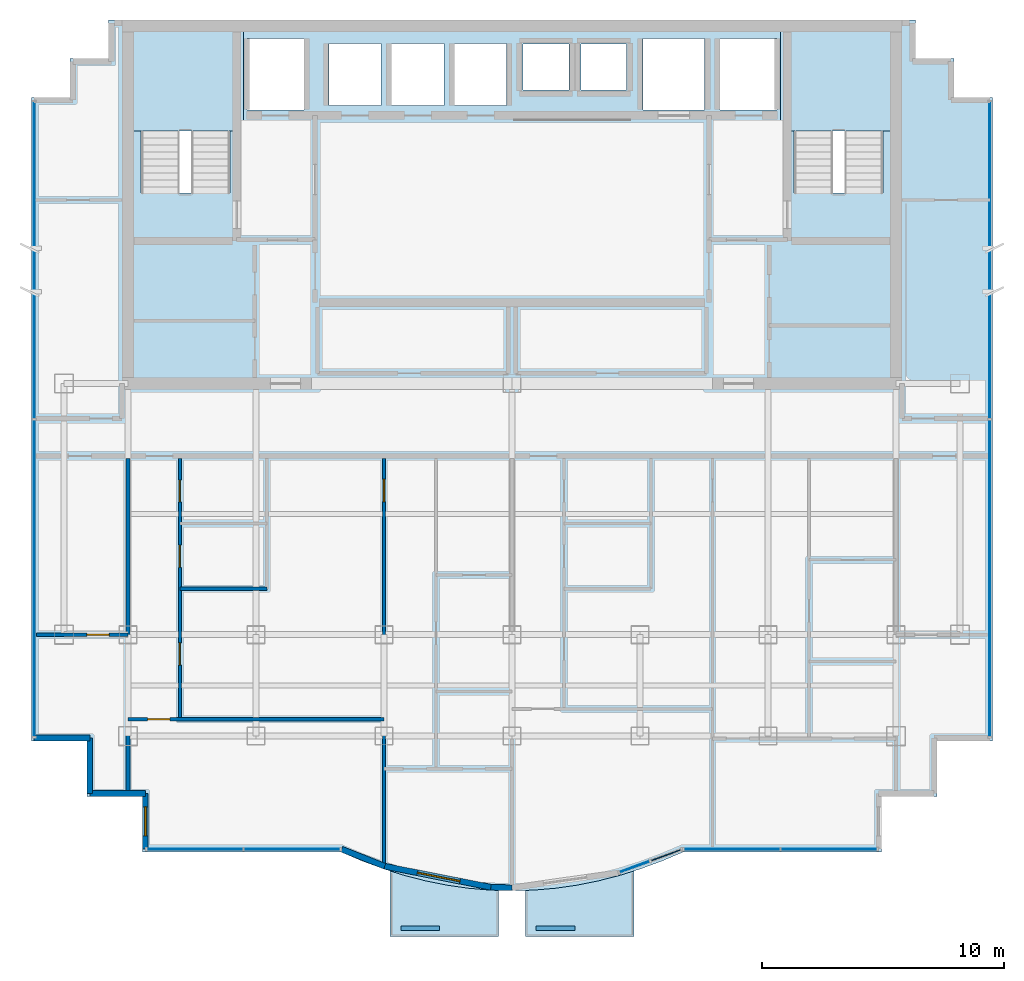
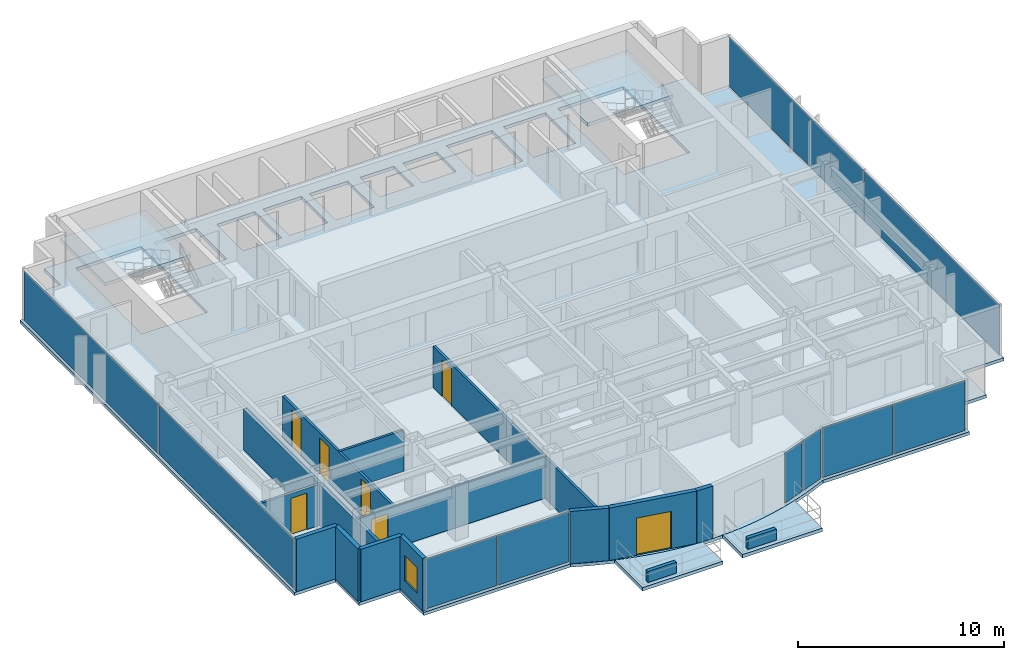
# One storey, part 6 of 12: 15 walls, 10 plates, 7 doors, 5 slabs, 1 window, 8 openings, 7 elements without a shape of their own.
"""IFC4 building model written with IfcOpenShell, lengths in metres."""

from ifc_helpers import new_model, si_unit, direction, frame, frame_2d, origin, origin_2d, place, context, subcontext, project, spatial, polyline, rectangle, outline, extrude, source, transform, mapped, material, layer, layer_set, type_object, element, fill, aggregate, save


model = new_model("IFC4")

# Units and contexts
model_context = context("Model", 3, precision=1e-05, world=origin(), true_north=direction((0.0, 1.0)))
body_context = subcontext(model_context, "Body", "Model", "MODEL_VIEW")
ifc_project = project(units=[si_unit("LENGTHUNIT", "METRE"), si_unit("AREAUNIT", "SQUARE_METRE"), si_unit("VOLUMEUNIT", "CUBIC_METRE"), si_unit("PLANEANGLEUNIT", "RADIAN"), si_unit("MASSUNIT", "GRAM", prefix="KILO")], contexts=[model_context])

# Site, building, storey
site_placement = place(None, origin())
site = spatial("IfcSite", under=ifc_project, at=site_placement, CompositionType="ELEMENT")
building_placement = place(site_placement, origin())
building = spatial("IfcBuilding", under=site, at=building_placement, Name="Qianlan Lanfeng Residences", CompositionType="ELEMENT")
storey_placement = place(building_placement, frame((0.0, 0.0, 219.800048828125)))
storey = spatial("IfcBuildingStorey", under=building, at=storey_placement, Name="L60", CompositionType="ELEMENT", Elevation=219.800048828125)

# Slabs
ifc_material_1 = material(Name="Concrete C42", Category="concrete")
ifc_layer_1 = layer(ifc_material_1, 0.199951171875)
ifc_layer_set_1 = layer_set([ifc_layer_1], Name="Concrete C42")
slab_type_1 = type_object("IfcSlabType", Name="S-BAL-200", PredefinedType="FLOOR", material=ifc_layer_set_1)
slab_1_placement = place(storey_placement, frame((0.0, 0.0, -0.199951171875)))
element("IfcSlab", 1, at=slab_1_placement, inside=storey, type_object=slab_type_1, Name="L60 Planted Tree Balcony Slab SB-W", PredefinedType="FLOOR", context=body_context, shape_type="SweptSolid", body=[
    extrude(outline(polyline([(25.949951171875, 4.216064453125), (25.614990234375, 4.22509765625), (24.72998046875, 4.300048828125), (23.844970703125, 4.425048828125), (22.9599609375, 4.60009765625), (22.074951171875, 4.824951171875), (21.449951171875, 5.01904296875), (21.449951171875, 2.300048828125), (25.949951171875, 2.300048828125), (25.949951171875, 4.216064453125)])), origin(), (0.0, 0.0, 1.0), 0.199951171875),
])
slab_2_placement = place(storey_placement, frame((0.0, 0.0, -0.199951171875)))
element("IfcSlab", 2, at=slab_2_placement, inside=storey, type_object=slab_type_1, Name="L60 Planted Tree Balcony Slab SB-E", PredefinedType="FLOOR", context=body_context, shape_type="SweptSolid", body=[
    extrude(outline(polyline([(31.550048828125, 5.01904296875), (30.925048828125, 4.824951171875), (30.0400390625, 4.60009765625), (29.155029296875, 4.425048828125), (28.27001953125, 4.300048828125), (27.385009765625, 4.22509765625), (27.050048828125, 4.216064453125), (27.050048828125, 2.300048828125), (31.550048828125, 2.300048828125), (31.550048828125, 5.01904296875)])), origin(), (0.0, 0.0, 1.0), 0.199951171875),
])
ifc_layer_2 = layer(ifc_material_1, 0.18994140625)
ifc_layer_set_2 = layer_set([ifc_layer_2], Name="Concrete C42")
slab_type_2 = type_object("IfcSlabType", Name="S-FL-190", PredefinedType="FLOOR", material=ifc_layer_set_2)
slab_3_placement = place(storey_placement, frame((0.0, 0.0, -0.18994140625)))
element("IfcSlab", 3, at=slab_3_placement, inside=storey, type_object=slab_type_2, Name="L60 Structural Floor Slab", PredefinedType="FLOOR", context=body_context, shape_type="SweptSolid", body=[
    extrude(outline(polyline([(6.60009765625, 10.39990234375), (8.89990234375, 10.39990234375), (8.89990234375, 8.10009765625), (11.199951171875, 8.10009765625), (11.199951171875, 5.800048828125), (19.419921875, 5.800048828125), (20.304931640625, 5.425048828125), (21.18994140625, 5.10009765625), (22.074951171875, 4.824951171875), (22.9599609375, 4.60009765625), (23.844970703125, 4.425048828125), (24.72998046875, 4.300048828125), (25.614990234375, 4.22509765625), (26.5, 4.199951171875), (27.385009765625, 4.22509765625), (28.27001953125, 4.300048828125), (29.155029296875, 4.425048828125), (30.0400390625, 4.60009765625), (30.925048828125, 4.824951171875), (31.81005859375, 5.10009765625), (32.695068359375, 5.425048828125), (33.580078125, 5.800048828125), (41.800048828125, 5.800048828125), (41.800048828125, 8.10009765625), (44.10009765625, 8.10009765625), (44.10009765625, 10.39990234375), (46.39990234375, 10.39990234375), (46.39990234375, 37.050048828125), (44.800048828125, 37.050048828125), (44.800048828125, 38.64990234375), (43.199951171875, 38.64990234375), (43.199951171875, 40.25), (9.800048828125, 40.25), (9.800048828125, 38.64990234375), (8.199951171875, 38.64990234375), (8.199951171875, 37.050048828125), (6.60009765625, 37.050048828125), (6.60009765625, 10.39990234375)]), holes=[polyline([(11.139892578125, 33.080078125), (11.139892578125, 39.5), (14.820068359375, 39.5), (14.820068359375, 33.080078125), (11.139892578125, 33.080078125)]), polyline([(38.179931640625, 33.080078125), (38.179931640625, 39.5), (41.860107421875, 39.5), (41.860107421875, 33.080078125), (38.179931640625, 33.080078125)]), polyline([(15.52001953125, 36.52001953125), (15.52001953125, 39.47998046875), (17.8798828125, 39.47998046875), (17.8798828125, 36.52001953125), (15.52001953125, 36.52001953125)]), polyline([(35.1201171875, 36.52001953125), (35.1201171875, 39.47998046875), (37.47998046875, 39.47998046875), (37.47998046875, 36.52001953125), (35.1201171875, 36.52001953125)]), polyline([(31.919921875, 36.52001953125), (31.919921875, 39.47998046875), (34.47998046875, 39.47998046875), (34.47998046875, 36.52001953125), (31.919921875, 36.52001953125)]), polyline([(18.919921875, 36.719970703125), (18.919921875, 39.280029296875), (21.080078125, 39.280029296875), (21.080078125, 36.719970703125), (18.919921875, 36.719970703125)]), polyline([(21.52001953125, 36.719970703125), (21.52001953125, 39.280029296875), (23.679931640625, 39.280029296875), (23.679931640625, 36.719970703125), (21.52001953125, 36.719970703125)]), polyline([(24.1201171875, 36.719970703125), (24.1201171875, 39.280029296875), (26.280029296875, 39.280029296875), (26.280029296875, 36.719970703125), (24.1201171875, 36.719970703125)]), polyline([(26.949951171875, 37.35009765625), (26.949951171875, 39.25), (28.85009765625, 39.25), (28.85009765625, 37.35009765625), (26.949951171875, 37.35009765625)]), polyline([(29.35009765625, 37.35009765625), (29.35009765625, 39.25), (31.25, 39.25), (31.25, 37.35009765625), (29.35009765625, 37.35009765625)])]), origin(), (0.0, 0.0, 1.0), 0.18994140625),
])

# Stair, slab
stair_type = type_object("IfcStairType", Name="STR-MAIN", PredefinedType="HALF_TURN_STAIR", material=ifc_material_1)
stair_1_placement = place(storey_placement, origin())
stair_1 = element("IfcStair", 4, at=stair_1_placement, inside=storey, type_object=stair_type, Name="L60 Exit Stair ST-1", PredefinedType="HALF_TURN_STAIR")
ifc_layer_3 = layer(ifc_material_1, 0.179931640625)
ifc_layer_set_3 = layer_set([ifc_layer_3], Name="Concrete C42")
slab_type_3 = type_object("IfcSlabType", Name="S-LND-180", PredefinedType="LANDING", material=ifc_layer_set_3)
slab_4_placement = place(storey_placement, frame((0.0, 0.0, 1.449951171875)))
slab_4 = element("IfcSlab", 5, at=slab_4_placement, type_object=slab_type_3, Name="ST-1 landing 1", PredefinedType="LANDING", context=body_context, shape_type="SweptSolid", body=[
    extrude(outline(polyline([(10.580078125, 35.659912109375), (15.3798828125, 35.659912109375), (15.3798828125, 40.050048828125), (10.580078125, 40.050048828125), (10.580078125, 35.659912109375)])), origin(), (0.0, 0.0, 1.0), 0.199951171875),
])
aggregate(stair_1, [slab_4])

stair_2_placement = place(storey_placement, origin())
stair_2 = element("IfcStair", 6, at=stair_2_placement, inside=storey, type_object=stair_type, Name="L60 Exit Stair ST-2", PredefinedType="HALF_TURN_STAIR")
slab_5_placement = place(storey_placement, frame((0.0, 0.0, 1.449951171875)))
slab_5 = element("IfcSlab", 7, at=slab_5_placement, type_object=slab_type_3, Name="ST-2 landing 1", PredefinedType="LANDING", context=body_context, shape_type="SweptSolid", body=[
    extrude(outline(polyline([(37.6201171875, 35.659912109375), (42.419921875, 35.659912109375), (42.419921875, 40.050048828125), (37.6201171875, 40.050048828125), (37.6201171875, 35.659912109375)])), origin(), (0.0, 0.0, 1.0), 0.199951171875),
])
aggregate(stair_2, [slab_5])

# Curtain wall, plates
ifc_material_2 = material(Name="Anodised Bronze Aluminium 6063-T6", Category="aluminium")
ifc_layer_4 = layer(ifc_material_2, 0.219970703125)
ifc_layer_set_4 = layer_set([ifc_layer_4], Name="Anodised Bronze Aluminium 6063-T6")
curtain_wall_type = type_object("IfcCurtainWallType", Name="CW-05", PredefinedType="NOTDEFINED", material=ifc_layer_set_4)
curtain_wall_1_placement = place(storey_placement, origin())
curtain_wall_1 = element("IfcCurtainWall", 8, at=curtain_wall_1_placement, inside=storey, type_object=curtain_wall_type, Name="L60 Unitised Curtain Wall CWR-L60-01 (CW-05)", PredefinedType="NOTDEFINED")
ifc_material_3 = material(Name="Clear Low-E Insulated Glass", Category="glass")
ifc_layer_5 = layer(ifc_material_3, 0.035888671875)
ifc_layer_set_5 = layer_set([ifc_layer_5], Name="Clear Low-E Insulated Glass")
plate_type_1 = type_object("IfcPlateType", Name="PNL-GLZ-CLR", PredefinedType="CURTAIN_PANEL", material=ifc_layer_set_5)
shared_shape_1 = source(origin(), body_context, "Body", "SweptSolid", [
    extrude(rectangle(XDim=3.951416015625, YDim=0.035888671875, at=origin_2d()), origin(), (0.0, 0.0, 1.0), 2.9619140625),
])
plate_1_placement = place(storey_placement, frame((13.36962890625, 5.919921875, 0.073974609375), z_axis=(0.0, 0.0, 1.0), x_axis=(1.0, 0.0, 0.0)))
plate_1 = element("IfcPlate", 9, at=plate_1_placement, type_object=plate_type_1, Name="CWR-L60-01 Curtain Panel 1", PredefinedType="CURTAIN_PANEL", context=body_context, shape_type="MappedRepresentation", body=[
    mapped(shared_shape_1, transform((0.0, 0.0, 0.0), scale=1.0)),
])
plate_2_placement = place(storey_placement, frame((17.394287109375, 5.919921875, 0.073974609375), z_axis=(0.0, 0.0, 1.0), x_axis=(1.0, 0.0, 0.0)))
plate_2 = element("IfcPlate", 10, at=plate_2_placement, type_object=plate_type_1, Name="CWR-L60-01 Curtain Panel 2", PredefinedType="CURTAIN_PANEL", context=body_context, shape_type="MappedRepresentation", body=[
    mapped(shared_shape_1, transform((0.0, 0.0, 0.0), scale=1.0)),
])
aggregate(curtain_wall_1, [plate_1, plate_2])

curtain_wall_2_placement = place(storey_placement, origin())
curtain_wall_2 = element("IfcCurtainWall", 11, at=curtain_wall_2_placement, inside=storey, type_object=curtain_wall_type, Name="L60 Unitised Curtain Wall CWR-L60-03 (CW-05)", PredefinedType="NOTDEFINED")
plate_3_placement = place(storey_placement, frame((35.605712890625, 5.919921875, 0.073974609375), z_axis=(0.0, 0.0, 1.0), x_axis=(1.0, 0.0, 0.0)))
plate_3 = element("IfcPlate", 12, at=plate_3_placement, type_object=plate_type_1, Name="CWR-L60-03 Curtain Panel 1", PredefinedType="CURTAIN_PANEL", context=body_context, shape_type="MappedRepresentation", body=[
    mapped(shared_shape_1, transform((0.0, 0.0, 0.0), scale=1.0)),
])
plate_4_placement = place(storey_placement, frame((39.630126953125, 5.919921875, 0.073974609375), z_axis=(0.0, 0.0, 1.0), x_axis=(1.0, 0.0, 0.0)))
plate_4 = element("IfcPlate", 13, at=plate_4_placement, type_object=plate_type_1, Name="CWR-L60-03 Curtain Panel 2", PredefinedType="CURTAIN_PANEL", context=body_context, shape_type="MappedRepresentation", body=[
    mapped(shared_shape_1, transform((0.0, 0.0, 0.0), scale=1.0)),
])
aggregate(curtain_wall_2, [plate_3, plate_4])

curtain_wall_3_placement = place(storey_placement, origin())
curtain_wall_3 = element("IfcCurtainWall", 14, at=curtain_wall_3_placement, inside=storey, type_object=curtain_wall_type, Name="L60 Unitised Curtain Wall CWR-L60-02 (CW-05)", PredefinedType="NOTDEFINED")
shared_shape_2 = source(origin(), body_context, "Body", "SweptSolid", [
    extrude(rectangle(XDim=1.30859375, YDim=0.035888671875, at=origin_2d()), origin(), (0.0, 0.0, 1.0), 2.9619140625),
])
plate_5_placement = place(storey_placement, frame((31.57568359375, 5.192138671875, 0.073974609375), z_axis=(0.0, 0.0, 1.0), x_axis=(0.938625538563, 0.344937818101, 0.0)))
plate_5 = element("IfcPlate", 15, at=plate_5_placement, type_object=plate_type_1, Name="CWR-L60-02 Curtain Panel 1", PredefinedType="CURTAIN_PANEL", context=body_context, shape_type="MappedRepresentation", body=[
    mapped(shared_shape_2, transform((0.0, 0.0, 0.0), scale=1.0)),
])
ifc_material_4 = material(Name="Perforated Champagne Gold Aluminium Panel", Category="aluminium")
ifc_layer_6 = layer(ifc_material_4, 0.0400390625)
ifc_layer_set_6 = layer_set([ifc_layer_6], Name="Perforated Champagne Gold Aluminium Panel")
plate_type_2 = type_object("IfcPlateType", Name="PNL-PRF-GLD", PredefinedType="CURTAIN_PANEL", material=ifc_layer_set_6)
shared_shape_3 = source(origin(), body_context, "Body", "SweptSolid", [
    extrude(rectangle(XDim=1.30859375, YDim=0.0400390625, at=origin_2d()), origin(), (0.0, 0.0, 1.0), 2.9619140625),
])
plate_6_placement = place(storey_placement, frame((32.872314453125, 5.668701171875, 0.073974609375), z_axis=(0.0, 0.0, 1.0), x_axis=(0.938625538563, 0.344937818101, 0.0)))
plate_6 = element("IfcPlate", 16, at=plate_6_placement, type_object=plate_type_2, Name="CWR-L60-02 Curtain Panel 2", PredefinedType="CURTAIN_PANEL", context=body_context, shape_type="MappedRepresentation", body=[
    mapped(shared_shape_3, transform((0.0, 0.0, 0.0), scale=1.0)),
])
aggregate(curtain_wall_3, [plate_5, plate_6])

# Curtain wall, plate
curtain_wall_4_placement = place(storey_placement, origin())
curtain_wall_4 = element("IfcCurtainWall", 17, at=curtain_wall_4_placement, inside=storey, type_object=curtain_wall_type, Name="L60 Unitised Curtain Wall CWR-L60-04 (CW-05)", PredefinedType="NOTDEFINED")
shared_shape_4 = source(origin(), body_context, "Body", "SweptSolid", [
    extrude(rectangle(XDim=13.094482421875, YDim=0.035888671875, at=origin_2d()), origin(), (0.0, 0.0, 1.0), 2.9619140625),
])
plate_7_placement = place(storey_placement, frame((46.280029296875, 17.14111328125, 0.073974609375), z_axis=(0.0, 0.0, 1.0), x_axis=(0.0, 1.0, 0.0)))
plate_7 = element("IfcPlate", 18, at=plate_7_placement, type_object=plate_type_1, Name="CWR-L60-04 Curtain Panel 1", PredefinedType="CURTAIN_PANEL", context=body_context, shape_type="MappedRepresentation", body=[
    mapped(shared_shape_4, transform((0.0, 0.0, 0.0), scale=1.0)),
])

# Curtain wall, plates
curtain_wall_5_placement = place(storey_placement, origin())
curtain_wall_5 = element("IfcCurtainWall", 19, at=curtain_wall_5_placement, inside=storey, type_object=curtain_wall_type, Name="L60 Unitised Curtain Wall CWR-L60-05 (CW-05)", PredefinedType="NOTDEFINED")
plate_8_placement = place(storey_placement, frame((6.719970703125, 30.30859375, 0.073974609375), z_axis=(0.0, 0.0, 1.0), x_axis=(0.0, -1.0, 0.0)))
plate_8 = element("IfcPlate", 20, at=plate_8_placement, type_object=plate_type_1, Name="CWR-L60-05 Curtain Panel 1", PredefinedType="CURTAIN_PANEL", context=body_context, shape_type="MappedRepresentation", body=[
    mapped(shared_shape_4, transform((0.0, 0.0, 0.0), scale=1.0)),
])
plate_9_placement = place(storey_placement, frame((6.719970703125, 17.14111328125, 0.073974609375), z_axis=(0.0, 0.0, 1.0), x_axis=(0.0, -1.0, 0.0)))
plate_9 = element("IfcPlate", 21, at=plate_9_placement, type_object=plate_type_1, Name="CWR-L60-05 Curtain Panel 2", PredefinedType="CURTAIN_PANEL", context=body_context, shape_type="MappedRepresentation", body=[
    mapped(shared_shape_4, transform((0.0, 0.0, 0.0), scale=1.0)),
])
aggregate(curtain_wall_5, [plate_8, plate_9])

# Plate
shared_shape_5 = source(origin(), body_context, "Body", "SweptSolid", [
    extrude(rectangle(XDim=13.094482421875, YDim=0.0400390625, at=origin_2d()), origin(), (0.0, 0.0, 1.0), 2.9619140625),
])
plate_10_placement = place(storey_placement, frame((46.280029296875, 30.30859375, 0.073974609375), z_axis=(0.0, 0.0, 1.0), x_axis=(0.0, 1.0, 0.0)))
plate_10 = element("IfcPlate", 22, at=plate_10_placement, type_object=plate_type_2, Name="CWR-L60-04 Curtain Panel 2", PredefinedType="CURTAIN_PANEL", context=body_context, shape_type="MappedRepresentation", body=[
    mapped(shared_shape_5, transform((0.0, 0.0, 0.0), scale=1.0)),
])

aggregate(curtain_wall_4, [plate_7, plate_10])

# Walls
ifc_layer_7 = layer(ifc_material_1, 0.239990234375)
ifc_layer_set_7 = layer_set([ifc_layer_7], Name="Concrete C42")
wall_type_1 = type_object("IfcWallType", Name="EW-240", PredefinedType="SOLIDWALL", material=ifc_layer_set_7)
for number, where, z_axis, x_axis, name in (
    (23, (6.719970703125, 10.52001953125, 0.0), (0.0, 0.0, 1.0), (1.0, 0.0, 0.0), "L60 Exterior Facade Spandrel Wall 1"),
    (24, (9.02001953125, 10.52001953125, 0.0), (0.0, 0.0, 1.0), (0.0, -1.0, 0.0), "L60 Exterior Facade Spandrel Wall 2"),
    (25, (9.02001953125, 8.219970703125, 0.0), (0.0, 0.0, 1.0), (1.0, 0.0, 0.0), "L60 Exterior Facade Spandrel Wall 3"),
):
    element("IfcWall", number, at=place(storey_placement, frame(where, z_axis=z_axis, x_axis=x_axis)), inside=storey, type_object=wall_type_1, Name=name, PredefinedType="SOLIDWALL", context=body_context, shape_type="SweptSolid", body=[
        extrude(rectangle(XDim=2.300048828125, YDim=0.239990234375, at=frame_2d((1.14990234375, 0.0))), origin(), (0.0, 0.0, 1.0), 3.10986328125),
    ])

# Wall, opening, window
wall_1_placement = place(storey_placement, frame((11.320068359375, 8.219970703125, 0.0), z_axis=(0.0, 0.0, 1.0), x_axis=(0.0, -1.0, 0.0)))
wall_1 = element("IfcWall", 26, at=wall_1_placement, inside=storey, type_object=wall_type_1, Name="L60 Exterior Facade Spandrel Wall 4", PredefinedType="SOLIDWALL", context=body_context, shape_type="SweptSolid", body=[
    extrude(rectangle(XDim=2.300048828125, YDim=0.239990234375, at=frame_2d((1.14990234375, 0.0))), origin(), (0.0, 0.0, 1.0), 3.10986328125),
])
opening_1_placement = place(wall_1_placement, frame((0.550048828125, 0.0, 0.75)))
opening_1 = element("IfcOpeningElement", 27, at=opening_1_placement, cuts=wall_1, Name="Opening W-03", PredefinedType="OPENING", context=body_context, shape_type="SweptSolid", body=[
    extrude(rectangle(XDim=1.199951171875, YDim=1.5, at=frame_2d((0.60009765625, 0.75))), frame((0.0, 0.1298828125, 0.0), z_axis=(0.0, -1.0, 0.0), x_axis=(1.0, 0.0, 0.0)), (0.0, 0.0, 1.0), 0.260009765625),
])
ifc_material_5 = material(Name="Anodised Bronze Aluminium Framed Double Glazing", Category="aluminium")
window_type = type_object("IfcWindowType", Name="W-03", PartitioningType="SINGLE_PANEL", PredefinedType="WINDOW", material=ifc_material_5)
window_placement = place(opening_1_placement, origin())
window = element("IfcWindow", 28, at=window_placement, inside=storey, type_object=window_type, Name="L60 Facade Punched Window W-03", OverallHeight=1.5, OverallWidth=1.199951171875, PartitioningType="SINGLE_PANEL", PredefinedType="WINDOW", context=body_context, shape_type="SweptSolid", body=[
    extrude(rectangle(XDim=1.199951171875, YDim=1.5, at=frame_2d((0.60009765625, 0.75))), frame((0.0, 0.030029296875, 0.0), z_axis=(0.0, -1.0, 0.0), x_axis=(1.0, 0.0, 0.0)), (0.0, 0.0, 1.0), 0.06005859375),
])
fill(opening_1, window)

# Wall
wall_2_placement = place(storey_placement, frame((19.444091796875, 5.919921875, 0.0), z_axis=(0.0, 0.0, 1.0), x_axis=(0.92993442177, -0.367725401906, 0.0)))
element("IfcWall", 29, at=wall_2_placement, inside=storey, type_object=wall_type_1, Name="L60 Exterior Facade Spandrel Wall 5", PredefinedType="SOLIDWALL", context=body_context, shape_type="SweptSolid", body=[
    extrude(rectangle(XDim=1.91943359375, YDim=0.239990234375, at=frame_2d((0.959716796875, 0.0))), origin(), (0.0, 0.0, 1.0), 3.10986328125),
])

# Wall, opening, door
wall_3_placement = place(storey_placement, frame((21.22900390625, 5.214111328125, 0.0), z_axis=(0.0, 0.0, 1.0), x_axis=(0.980985349685, -0.194081796425, 0.0)))
wall_3 = element("IfcWall", 30, at=wall_3_placement, inside=storey, type_object=wall_type_1, Name="L60 Terrace/Balcony Access Exterior Wall 6", PredefinedType="SOLIDWALL", context=body_context, shape_type="SweptSolid", body=[
    extrude(rectangle(XDim=4.478271484375, YDim=0.239990234375, at=frame_2d((2.2392578125, 0.0))), origin(), (0.0, 0.0, 1.0), 3.10986328125),
])
opening_2_placement = place(wall_3_placement, frame((1.381103515625, 0.0, 0.0)))
opening_2 = element("IfcOpeningElement", 31, at=opening_2_placement, cuts=wall_3, Name="Opening L60-D-SB-W", PredefinedType="OPENING", context=body_context, shape_type="SweptSolid", body=[
    extrude(rectangle(XDim=1.800048828125, YDim=2.199951171875, at=frame_2d((0.89990234375, 1.10009765625))), frame((0.0, 0.1298828125, 0.0), z_axis=(0.0, -1.0, 0.0), x_axis=(1.0, 0.0, 0.0)), (0.0, 0.0, 1.0), 0.260009765625),
])
ifc_material_6 = material(Name="Anodised Bronze Aluminium Framed Glass", Category="aluminium")
door_type_1 = type_object("IfcDoorType", Name="DT-BAL1", OperationType="NOTDEFINED", PredefinedType="DOOR", material=ifc_material_6)
door_1_placement = place(opening_2_placement, frame((1.800048828125, 0.0, 0.0), z_axis=(0.0, 0.0, 1.0), x_axis=(-1.0, 0.0, 0.0)))
door_1 = element("IfcDoor", 32, at=door_1_placement, inside=storey, type_object=door_type_1, Name="L60 Exterior Access Door SB-W", OperationType="DOUBLE_DOOR_SLIDING", OverallHeight=2.199951171875, OverallWidth=1.800048828125, PredefinedType="DOOR", context=body_context, shape_type="SweptSolid", body=[
    extrude(rectangle(XDim=1.800048828125, YDim=2.199951171875, at=frame_2d((0.89990234375, 1.10009765625))), frame((0.0, 0.02490234375, 0.0), z_axis=(0.0, -1.0, 0.0), x_axis=(1.0, 0.0, 0.0)), (0.0, 0.0, 1.0), 0.050048828125),
])
fill(opening_2, door_1)

# Walls
wall_4_placement = place(storey_placement, frame((25.6220703125, 4.344970703125, 0.0), z_axis=(0.0, 0.0, 1.0), x_axis=(0.999597960231, -0.028353446035, 0.0)))
element("IfcWall", 33, at=wall_4_placement, inside=storey, type_object=wall_type_1, Name="L60 Exterior Facade Spandrel Wall 7", PredefinedType="SOLIDWALL", context=body_context, shape_type="SweptSolid", body=[
    extrude(rectangle(XDim=0.878173828125, YDim=0.239990234375, at=frame_2d((0.43896484375, 0.0))), origin(), (0.0, 0.0, 1.0), 3.10986328125),
])
ifc_layer_8 = layer(ifc_material_1, 0.199951171875)
ifc_layer_set_8 = layer_set([ifc_layer_8], Name="Concrete C42")
wall_type_2 = type_object("IfcWallType", Name="PL-TREE-200", PredefinedType="PARAPET", material=ifc_layer_set_8)
for number, where, z_axis, x_axis, name in (
    (34, (21.89990234375, 2.64990234375, 0.0), (0.0, 0.0, 1.0), (1.0, 0.0, 0.0), "L60 Balcony Tree Planter Curb SB-W"),
    (35, (27.5, 2.64990234375, 0.0), (0.0, 0.0, 1.0), (1.0, 0.0, 0.0), "L60 Balcony Tree Planter Curb SB-E"),
):
    element("IfcWall", number, at=place(storey_placement, frame(where, z_axis=z_axis, x_axis=x_axis)), inside=storey, type_object=wall_type_2, Name=name, PredefinedType="PARAPET", context=body_context, shape_type="SweptSolid", body=[
        extrude(rectangle(XDim=1.60009765625, YDim=0.199951171875, at=frame_2d((0.800048828125, 0.0))), origin(), (0.0, 0.0, 1.0), 0.64990234375),
    ])

# Wall, opening, door
ifc_material_7 = material(Name="Moisture-Resistant Gypsum Partition 135 mm")
ifc_layer_9 = layer(ifc_material_7, 0.135009765625)
ifc_layer_set_9 = layer_set([ifc_layer_9], Name="Moisture-Resistant Gypsum Partition 135 mm")
wall_type_3 = type_object("IfcWallType", Name="PW-135", PredefinedType="PARTITIONING", material=ifc_layer_set_9)
wall_5_placement = place(storey_placement, frame((21.199951171875, 5.3310546875, 0.0), z_axis=(0.0, 0.0, 1.0), x_axis=(0.0, 1.0, 0.0)))
wall_5 = element("IfcWall", 36, at=wall_5_placement, inside=storey, type_object=wall_type_3, Name="L60 U01 Bay Spine Wall 1", PredefinedType="PARTITIONING", context=body_context, shape_type="SweptSolid", body=[
    extrude(rectangle(XDim=16.76904296875, YDim=0.135009765625, at=frame_2d((8.384521484375, 0.0))), origin(), (0.0, 0.0, 1.0), 2.429931640625),
])
opening_3_placement = place(wall_5_placement, frame((14.98388671875, 0.0, 0.0)))
opening_3 = element("IfcOpeningElement", 37, at=opening_3_placement, cuts=wall_5, Name="Opening L60-D18", PredefinedType="OPENING", context=body_context, shape_type="SweptSolid", body=[
    extrude(rectangle(XDim=0.919921875, YDim=2.14990234375, at=frame_2d((0.4599609375, 1.074951171875))), frame((0.0, 0.07763671875, 0.0), z_axis=(0.0, -1.0, 0.0), x_axis=(1.0, 0.0, 0.0)), (0.0, 0.0, 1.0), 0.155029296875),
])
ifc_material_8 = material(Name="Glazed Timber Kitchen/Study Door", Category="wood")
door_type_2 = type_object("IfcDoorType", Name="DT-INT", OperationType="NOTDEFINED", PredefinedType="DOOR", material=ifc_material_8)
door_2_placement = place(opening_3_placement, origin())
door_2 = element("IfcDoor", 38, at=door_2_placement, inside=storey, type_object=door_type_2, Name="L60 U01 Internal Hall Door L60-D18 (DT-INT)", OperationType="SINGLE_SWING_LEFT", OverallHeight=2.14990234375, OverallWidth=0.919921875, PredefinedType="DOOR", context=body_context, shape_type="SweptSolid", body=[
    extrude(rectangle(XDim=0.919921875, YDim=2.14990234375, at=frame_2d((0.4599609375, 1.074951171875))), frame((0.0, 0.02490234375, 0.0), z_axis=(0.0, -1.0, 0.0), x_axis=(1.0, 0.0, 0.0)), (0.0, 0.0, 1.0), 0.050048828125),
])
fill(opening_3, door_2)

wall_6_placement = place(storey_placement, frame((10.60009765625, 11.302978515625, 0.0), z_axis=(0.0, 0.0, 1.0), x_axis=(1.0, 0.0, 0.0)))
wall_6 = element("IfcWall", 39, at=wall_6_placement, inside=storey, type_object=wall_type_3, Name="L60 U01 Living Divider", PredefinedType="PARTITIONING", context=body_context, shape_type="SweptSolid", body=[
    extrude(rectangle(XDim=10.599853515625, YDim=0.135009765625, at=frame_2d((5.2998046875, 0.0))), origin(), (0.0, 0.0, 1.0), 2.429931640625),
])
opening_4_placement = place(wall_6_placement, frame((0.81494140625, 0.0, 0.0)))
opening_4 = element("IfcOpeningElement", 40, at=opening_4_placement, cuts=wall_6, Name="Opening L60-D19", PredefinedType="OPENING", context=body_context, shape_type="SweptSolid", body=[
    extrude(rectangle(XDim=0.919921875, YDim=2.14990234375, at=frame_2d((0.4599609375, 1.074951171875))), frame((0.0, 0.07763671875, 0.0), z_axis=(0.0, -1.0, 0.0), x_axis=(1.0, 0.0, 0.0)), (0.0, 0.0, 1.0), 0.155029296875),
])
door_3_placement = place(opening_4_placement, origin())
door_3 = element("IfcDoor", 41, at=door_3_placement, inside=storey, type_object=door_type_2, Name="L60 U01 Living Passage Door L60-D19 (DT-INT)", OperationType="SINGLE_SWING_LEFT", OverallHeight=2.14990234375, OverallWidth=0.919921875, PredefinedType="DOOR", context=body_context, shape_type="SweptSolid", body=[
    extrude(rectangle(XDim=0.919921875, YDim=2.14990234375, at=frame_2d((0.4599609375, 1.074951171875))), frame((0.0, 0.02490234375, 0.0), z_axis=(0.0, -1.0, 0.0), x_axis=(1.0, 0.0, 0.0)), (0.0, 0.0, 1.0), 0.050048828125),
])
fill(opening_4, door_3)

# Wall, openings, doors
wall_7_placement = place(storey_placement, frame((12.75, 11.302978515625, 0.0), z_axis=(0.0, 0.0, 1.0), x_axis=(0.0, 1.0, 0.0)))
wall_7 = element("IfcWall", 42, at=wall_7_placement, inside=storey, type_object=wall_type_3, Name="L60 U01 Entry Hall Spine", PredefinedType="PARTITIONING", context=body_context, shape_type="SweptSolid", body=[
    extrude(rectangle(XDim=10.797119140625, YDim=0.135009765625, at=frame_2d((5.3984375, 0.0))), origin(), (0.0, 0.0, 1.0), 2.429931640625),
])
opening_5_placement = place(wall_7_placement, frame((2.239013671875, 0.0, 0.0)))
opening_5 = element("IfcOpeningElement", 43, at=opening_5_placement, cuts=wall_7, Name="Opening L60-D20", PredefinedType="OPENING", context=body_context, shape_type="SweptSolid", body=[
    extrude(rectangle(XDim=0.919921875, YDim=2.14990234375, at=frame_2d((0.4599609375, 1.074951171875))), frame((0.0, 0.07763671875, 0.0), z_axis=(0.0, -1.0, 0.0), x_axis=(1.0, 0.0, 0.0)), (0.0, 0.0, 1.0), 0.155029296875),
])
opening_6_placement = place(wall_7_placement, frame((6.287109375, 0.0, 0.0)))
opening_6 = element("IfcOpeningElement", 44, at=opening_6_placement, cuts=wall_7, Name="Opening L60-D21", PredefinedType="OPENING", context=body_context, shape_type="SweptSolid", body=[
    extrude(rectangle(XDim=0.919921875, YDim=2.14990234375, at=frame_2d((0.4599609375, 1.074951171875))), frame((0.0, 0.07763671875, 0.0), z_axis=(0.0, -1.0, 0.0), x_axis=(1.0, 0.0, 0.0)), (0.0, 0.0, 1.0), 0.155029296875),
])
opening_7_placement = place(wall_7_placement, frame((8.9970703125, 0.0, 0.0)))
opening_7 = element("IfcOpeningElement", 45, at=opening_7_placement, cuts=wall_7, Name="Opening L60-D22", PredefinedType="OPENING", context=body_context, shape_type="SweptSolid", body=[
    extrude(rectangle(XDim=0.89990234375, YDim=2.14990234375, at=frame_2d((0.449951171875, 1.074951171875))), frame((0.0, 0.07763671875, 0.0), z_axis=(0.0, -1.0, 0.0), x_axis=(1.0, 0.0, 0.0)), (0.0, 0.0, 1.0), 0.155029296875),
])
door_4_placement = place(opening_5_placement, origin())
door_4 = element("IfcDoor", 46, at=door_4_placement, inside=storey, type_object=door_type_2, Name="L60 U01 Study Door L60-D20 (DT-INT)", OperationType="SINGLE_SWING_LEFT", OverallHeight=2.14990234375, OverallWidth=0.919921875, PredefinedType="DOOR", context=body_context, shape_type="SweptSolid", body=[
    extrude(rectangle(XDim=0.919921875, YDim=2.14990234375, at=frame_2d((0.4599609375, 1.074951171875))), frame((0.0, 0.02490234375, 0.0), z_axis=(0.0, -1.0, 0.0), x_axis=(1.0, 0.0, 0.0)), (0.0, 0.0, 1.0), 0.050048828125),
])
fill(opening_5, door_4)
door_5_placement = place(opening_6_placement, origin())
door_5 = element("IfcDoor", 47, at=door_5_placement, inside=storey, type_object=door_type_2, Name="L60 U01 Kitchen Door L60-D21 (DT-INT)", OperationType="SINGLE_SWING_RIGHT", OverallHeight=2.14990234375, OverallWidth=0.919921875, PredefinedType="DOOR", context=body_context, shape_type="SweptSolid", body=[
    extrude(rectangle(XDim=0.919921875, YDim=2.14990234375, at=frame_2d((0.4599609375, 1.074951171875))), frame((0.0, 0.02490234375, 0.0), z_axis=(0.0, -1.0, 0.0), x_axis=(1.0, 0.0, 0.0)), (0.0, 0.0, 1.0), 0.050048828125),
])
fill(opening_6, door_5)
ifc_material_9 = material(Name="Moisture-Resistant Timber Leaf", Category="wood")
door_type_3 = type_object("IfcDoorType", Name="DT-WC", OperationType="NOTDEFINED", PredefinedType="DOOR", material=ifc_material_9)
door_6_placement = place(opening_7_placement, origin())
door_6 = element("IfcDoor", 48, at=door_6_placement, inside=storey, type_object=door_type_3, Name="L60 U01 Bathroom Door L60-D22 (DT-WC)", OperationType="SINGLE_SWING_LEFT", OverallHeight=2.14990234375, OverallWidth=0.89990234375, PredefinedType="DOOR", context=body_context, shape_type="SweptSolid", body=[
    extrude(rectangle(XDim=0.89990234375, YDim=2.14990234375, at=frame_2d((0.449951171875, 1.074951171875))), frame((0.0, 0.02490234375, 0.0), z_axis=(0.0, -1.0, 0.0), x_axis=(1.0, 0.0, 0.0)), (0.0, 0.0, 1.0), 0.050048828125),
])
fill(opening_7, door_6)

# Wall
wall_8_placement = place(storey_placement, frame((12.75, 16.699951171875, 0.0), z_axis=(0.0, 0.0, 1.0), x_axis=(1.0, 0.0, 0.0)))
element("IfcWall", 49, at=wall_8_placement, inside=storey, type_object=wall_type_3, Name="L60 U01 Kitchen South Wall", PredefinedType="PARTITIONING", context=body_context, shape_type="SweptSolid", body=[
    extrude(rectangle(XDim=3.60009765625, YDim=0.135009765625, at=frame_2d((1.800048828125, 0.0))), origin(), (0.0, 0.0, 1.0), 2.429931640625),
])

# Wall, opening, door
wall_9_placement = place(storey_placement, frame((6.820068359375, 14.800048828125, 0.0), z_axis=(0.0, 0.0, 1.0), x_axis=(1.0, 0.0, 0.0)))
wall_9 = element("IfcWall", 50, at=wall_9_placement, inside=storey, type_object=wall_type_3, Name="L60 SWP Mid Partition", PredefinedType="PARTITIONING", context=body_context, shape_type="SweptSolid", body=[
    extrude(rectangle(XDim=3.780029296875, YDim=0.135009765625, at=frame_2d((1.89013671875, 0.0))), origin(), (0.0, 0.0, 1.0), 2.429931640625),
])
opening_8_placement = place(wall_9_placement, frame((2.080078125, 0.0, 0.0)))
opening_8 = element("IfcOpeningElement", 51, at=opening_8_placement, cuts=wall_9, Name="Opening L60-D37", PredefinedType="OPENING", context=body_context, shape_type="SweptSolid", body=[
    extrude(rectangle(XDim=0.919921875, YDim=2.14990234375, at=frame_2d((0.4599609375, 1.074951171875))), frame((0.0, 0.07763671875, 0.0), z_axis=(0.0, -1.0, 0.0), x_axis=(1.0, 0.0, 0.0)), (0.0, 0.0, 1.0), 0.155029296875),
])
door_7_placement = place(opening_8_placement, origin())
door_7 = element("IfcDoor", 52, at=door_7_placement, inside=storey, type_object=door_type_2, Name="L60 SWP Inner Door L60-D37 (DT-INT)", OperationType="SINGLE_SWING_LEFT", OverallHeight=2.14990234375, OverallWidth=0.919921875, PredefinedType="DOOR", context=body_context, shape_type="SweptSolid", body=[
    extrude(rectangle(XDim=0.919921875, YDim=2.14990234375, at=frame_2d((0.4599609375, 1.074951171875))), frame((0.0, 0.02490234375, 0.0), z_axis=(0.0, -1.0, 0.0), x_axis=(1.0, 0.0, 0.0)), (0.0, 0.0, 1.0), 0.050048828125),
])
fill(opening_8, door_7)

# Wall
ifc_material_10 = material(Name="Double-Layer Acoustic Gypsum Stud Wall 180 mm")
ifc_layer_10 = layer(ifc_material_10, 0.179931640625)
ifc_layer_set_10 = layer_set([ifc_layer_10], Name="Double-Layer Acoustic Gypsum Stud Wall 180 mm")
wall_type_4 = type_object("IfcWallType", Name="PW-180", PredefinedType="PARTITIONING", material=ifc_layer_set_10)
wall_10_placement = place(storey_placement, frame((10.60009765625, 8.320068359375, 0.0), z_axis=(0.0, 0.0, 1.0), x_axis=(0.0, 1.0, 0.0)))
element("IfcWall", 53, at=wall_10_placement, inside=storey, type_object=wall_type_4, Name="L60 Wing Boundary Party Wall W0", PredefinedType="PARTITIONING", context=body_context, shape_type="SweptSolid", body=[
    extrude(rectangle(XDim=13.780029296875, YDim=0.179931640625, at=frame_2d((6.89013671875, 0.0))), origin(), (0.0, 0.0, 1.0), 2.429931640625),
])

save(model, "model.ifc")
